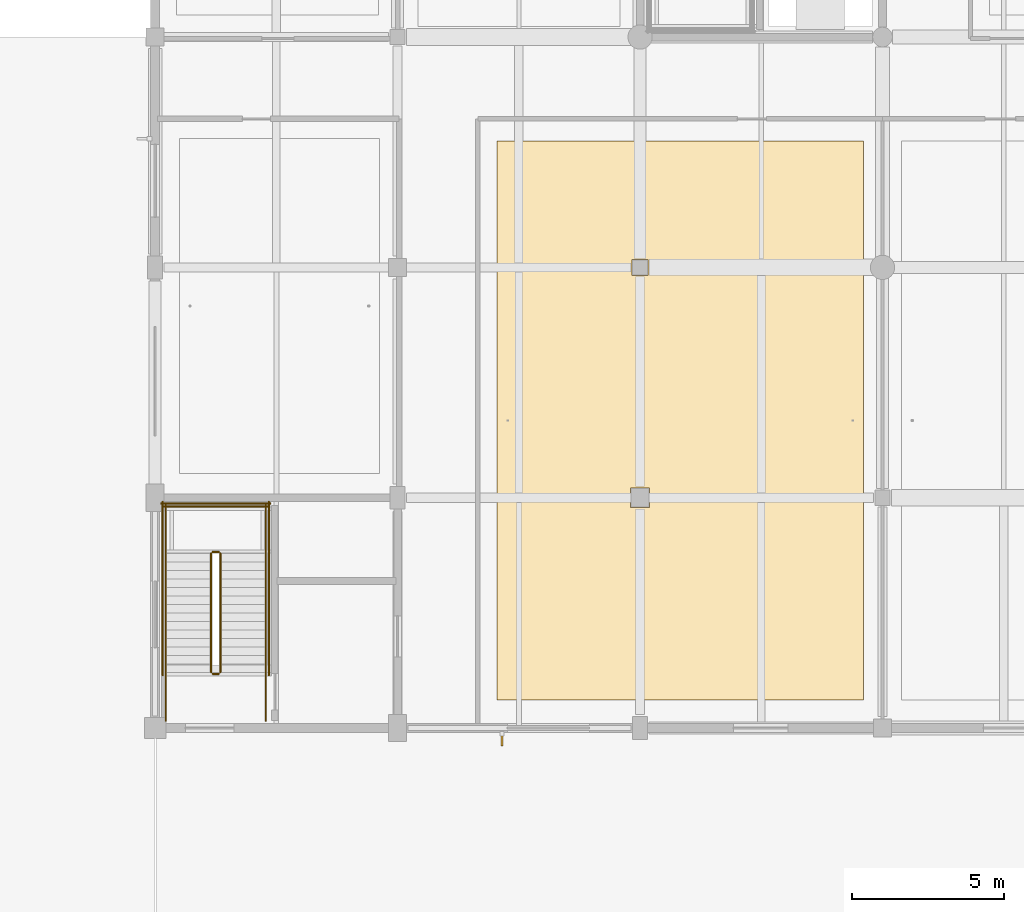
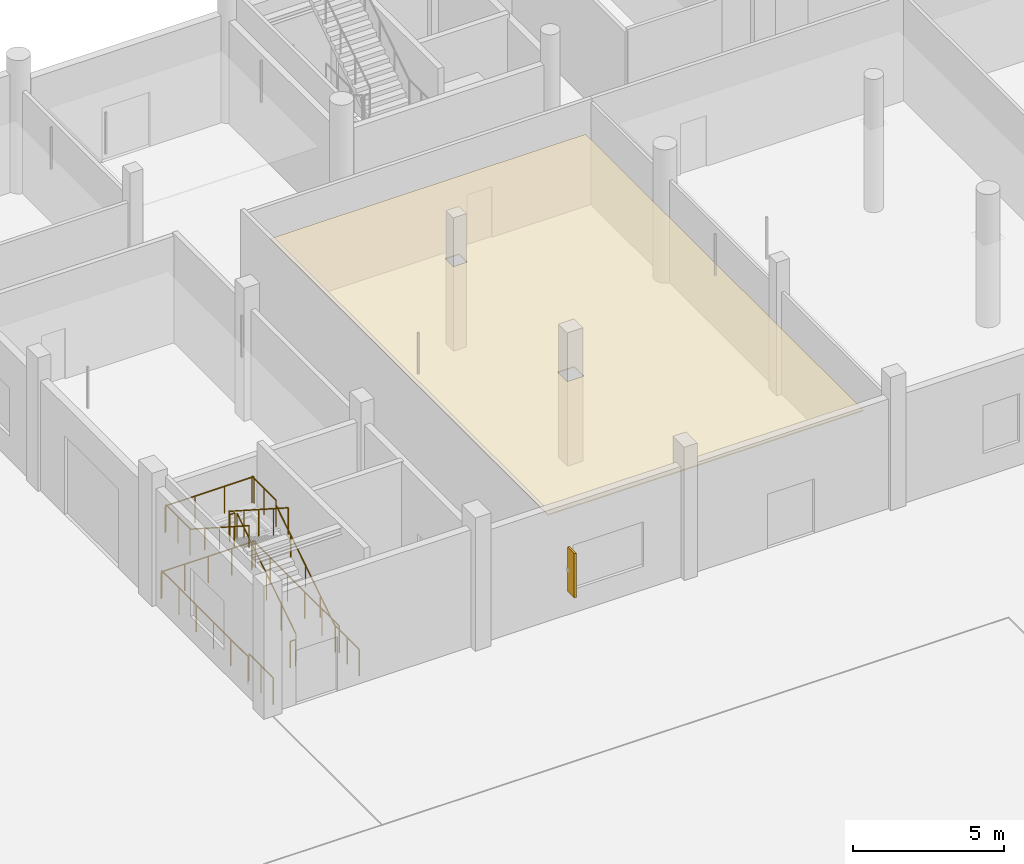
# One storey, part 123 of 126: 14 railings, 1 covering, 1 shading device.
"""IFC4 building model written with IfcOpenShell, lengths in metres."""

from ifc_helpers import new_model, si_unit, direction, frame, origin, origin_2d, place, context, subcontext, project, spatial, polyline, rectangle, circle, outline, extrude, material, layer, layer_set, type_object, element, save


model = new_model("IFC4")

# Units and contexts
model_context = context("Model", 3, precision=1e-05, world=origin(), true_north=direction((0.0, 1.0)))
body_context = subcontext(model_context, "Body", "Model", "MODEL_VIEW")
ifc_project = project(units=[si_unit("LENGTHUNIT", "METRE"), si_unit("AREAUNIT", "SQUARE_METRE"), si_unit("VOLUMEUNIT", "CUBIC_METRE"), si_unit("PLANEANGLEUNIT", "RADIAN"), si_unit("MASSUNIT", "GRAM", prefix="KILO")], contexts=[model_context])

# Site, building, storey
site_placement = place(None, origin())
site = spatial("IfcSite", under=ifc_project, at=site_placement, CompositionType="ELEMENT")
building_placement = place(site_placement, origin())
building = spatial("IfcBuilding", under=site, at=building_placement, Name="Khelvaren Railside Concert Hall", CompositionType="ELEMENT")
storey_placement = place(building_placement, origin())
storey = spatial("IfcBuildingStorey", under=building, at=storey_placement, Name="L00", CompositionType="ELEMENT", Elevation=0.0)

# Covering
ifc_material_1 = material(Name="Mineral-wool acoustic baffle ceiling", Category="gypsum")
ifc_layer = layer(ifc_material_1, 0.0400390625)
ifc_layer_set = layer_set([ifc_layer], Name="Mineral-wool acoustic baffle ceiling")
covering_type = type_object("IfcCoveringType", Name="CLG20", PredefinedType="CEILING", material=ifc_layer_set)
covering_placement = place(storey_placement, frame((0.0, 0.0, 3.409912109375)))
element("IfcCovering", 1, at=covering_placement, inside=storey, type_object=covering_type, Name="Suspended Acoustic Ceiling Fire Command Centre", PredefinedType="CEILING", context=body_context, shape_type="SweptSolid", body=[
    extrude(outline(polyline([(139.280029296875, 84.530029296875), (151.3701171875, 84.530029296875), (151.3701171875, 102.969970703125), (139.280029296875, 102.969970703125), (139.280029296875, 84.530029296875)]), holes=[polyline([(143.68505859375, 90.885009765625), (144.31494140625, 90.885009765625), (144.31494140625, 91.514892578125), (143.68505859375, 91.514892578125), (143.68505859375, 90.885009765625)]), polyline([(143.735107421875, 98.534912109375), (144.264892578125, 98.534912109375), (144.264892578125, 99.06494140625), (143.735107421875, 99.06494140625), (143.735107421875, 98.534912109375)])]), origin(), (0.0, 0.0, 1.0), 0.0400390625),
])

# Railings
ifc_material_2 = material(Name="Painted architectural steel", Category="steel")
railing_type_1 = type_object("IfcRailingType", Name="GRD86", PredefinedType="GUARDRAIL", material=ifc_material_2)
railing_1_placement = place(storey_placement, frame((130.14990234375, 85.43994140625, 0.179931640625)))
element("IfcRailing", 2, at=railing_1_placement, inside=storey, type_object=railing_type_1, Name="L00 ST-12 stair guard 1", PredefinedType="GUARDRAIL", context=body_context, shape_type="SweptSolid", body=[
    extrude(circle(Radius=0.02392578125, at=origin_2d()), frame((0.0, 0.0, 1.076171875), z_axis=(0.0, 0.841186985886, 0.540744352514), x_axis=(-1.0, 0.0, 0.0)), (0.0, 0.0, 1.0), 4.660400390625),
    extrude(circle(Radius=0.02099609375, at=origin_2d()), origin(), (0.0, 0.0, 1.0), 1.052001953125),
    extrude(circle(Radius=0.02099609375, at=origin_2d()), frame((0.0, 0.97998046875, 0.6298828125)), (0.0, 0.0, 1.0), 1.052001953125),
    extrude(circle(Radius=0.02099609375, at=origin_2d()), frame((0.0, 1.9599609375, 1.260009765625)), (0.0, 0.0, 1.0), 1.052001953125),
    extrude(circle(Radius=0.02099609375, at=origin_2d()), frame((0.0, 2.940185546875, 1.89013671875)), (0.0, 0.0, 1.0), 1.052001953125),
    extrude(circle(Radius=0.02099609375, at=origin_2d()), frame((0.0, 3.920166015625, 2.52001953125)), (0.0, 0.0, 1.0), 1.052001953125),
])
railing_2_placement = place(storey_placement, frame((130.10009765625, 89.409912109375, 2.699951171875)))
element("IfcRailing", 3, at=railing_2_placement, inside=storey, type_object=railing_type_1, Name="L00 ST-12 stair guard 2", PredefinedType="GUARDRAIL", context=body_context, shape_type="SweptSolid", body=[
    extrude(circle(Radius=0.02392578125, at=origin_2d()), frame((0.0, 0.0, 1.076171875), z_axis=(-1.0, 0.0, 0.0), x_axis=(0.0, -1.0, 0.0)), (0.0, 0.0, 1.0), 0.2001953125),
    extrude(circle(Radius=0.02099609375, at=origin_2d()), origin(), (0.0, 0.0, 1.0), 1.052001953125),
    extrude(circle(Radius=0.02099609375, at=origin_2d()), frame((-0.2001953125, 0.0, 0.0)), (0.0, 0.0, 1.0), 1.052001953125),
])
for number, where, name in (
    (4, (131.64990234375, 89.360107421875, 2.699951171875), "L00 ST-12 stair guard 3"),
    (5, (128.35009765625, 89.360107421875, 2.699951171875), "L00 ST-12 stair guard 4"),
):
    element("IfcRailing", number, at=place(storey_placement, frame(where)), inside=storey, type_object=railing_type_1, Name=name, PredefinedType="GUARDRAIL", context=body_context, shape_type="SweptSolid", body=[
        extrude(circle(Radius=0.02392578125, at=origin_2d()), frame((0.0, 0.0, 1.076171875), z_axis=(0.0, 1.0, 0.0), x_axis=(-1.0, 0.0, 0.0)), (0.0, 0.0, 1.0), 1.599853515625),
        extrude(circle(Radius=0.02099609375, at=origin_2d()), origin(), (0.0, 0.0, 1.0), 1.052001953125),
        extrude(circle(Radius=0.02099609375, at=origin_2d()), frame((0.0, 0.7998046875, 0.0)), (0.0, 0.0, 1.0), 1.052001953125),
        extrude(circle(Radius=0.02099609375, at=origin_2d()), frame((0.0, 1.599853515625, 0.0)), (0.0, 0.0, 1.0), 1.052001953125),
    ])
railing_3_placement = place(storey_placement, frame((131.699951171875, 90.909912109375, 2.699951171875)))
element("IfcRailing", 6, at=railing_3_placement, inside=storey, type_object=railing_type_1, Name="L00 ST-12 stair guard 5", PredefinedType="GUARDRAIL", context=body_context, shape_type="SweptSolid", body=[
    extrude(circle(Radius=0.02392578125, at=origin_2d()), frame((0.0, 0.0, 1.076171875), z_axis=(-1.0, 0.0, 0.0), x_axis=(0.0, -1.0, 0.0)), (0.0, 0.0, 1.0), 3.39990234375),
    extrude(circle(Radius=0.02099609375, at=origin_2d()), origin(), (0.0, 0.0, 1.0), 1.052001953125),
    extrude(circle(Radius=0.02099609375, at=origin_2d()), frame((-1.13330078125, 0.0, 0.0)), (0.0, 0.0, 1.0), 1.052001953125),
    extrude(circle(Radius=0.02099609375, at=origin_2d()), frame((-2.2666015625, 0.0, 0.0)), (0.0, 0.0, 1.0), 1.052001953125),
    extrude(circle(Radius=0.02099609375, at=origin_2d()), frame((-3.39990234375, 0.0, 0.0)), (0.0, 0.0, 1.0), 1.052001953125),
])
railing_4_placement = place(storey_placement, frame((129.85009765625, 89.360107421875, 2.8798828125)))
element("IfcRailing", 7, at=railing_4_placement, inside=storey, type_object=railing_type_1, Name="L00 ST-12 stair guard 6", PredefinedType="GUARDRAIL", context=body_context, shape_type="SweptSolid", body=[
    extrude(circle(Radius=0.02392578125, at=origin_2d()), frame((0.0, 0.0, 1.076171875), z_axis=(0.0, -0.841186985886, 0.540744352514), x_axis=(1.0, 0.0, 0.0)), (0.0, 0.0, 1.0), 4.660400390625),
    extrude(circle(Radius=0.02099609375, at=origin_2d()), origin(), (0.0, 0.0, 1.0), 1.052001953125),
    extrude(circle(Radius=0.02099609375, at=origin_2d()), frame((0.0, -0.97998046875, 0.6298828125)), (0.0, 0.0, 1.0), 1.052001953125),
    extrude(circle(Radius=0.02099609375, at=origin_2d()), frame((0.0, -1.9599609375, 1.260009765625)), (0.0, 0.0, 1.0), 1.052001953125),
    extrude(circle(Radius=0.02099609375, at=origin_2d()), frame((0.0, -2.940185546875, 1.89013671875)), (0.0, 0.0, 1.0), 1.052001953125),
    extrude(circle(Radius=0.02099609375, at=origin_2d()), frame((0.0, -3.920166015625, 2.52001953125)), (0.0, 0.0, 1.0), 1.052001953125),
])
railing_5_placement = place(storey_placement, frame((130.10009765625, 85.389892578125, 0.0)))
element("IfcRailing", 8, at=railing_5_placement, inside=storey, type_object=railing_type_1, Name="L00 ST-12 stair guard 7", PredefinedType="GUARDRAIL", context=body_context, shape_type="SweptSolid", body=[
    extrude(circle(Radius=0.02392578125, at=origin_2d()), frame((0.0, 0.0, 1.076171875), z_axis=(-1.0, 0.0, 0.0), x_axis=(0.0, -1.0, 0.0)), (0.0, 0.0, 1.0), 0.2001953125),
    extrude(circle(Radius=0.02099609375, at=origin_2d()), origin(), (0.0, 0.0, 1.0), 1.052001953125),
    extrude(circle(Radius=0.02099609375, at=origin_2d()), frame((-0.2001953125, 0.0, 0.0)), (0.0, 0.0, 1.0), 1.052001953125),
])
for number, where, name in (
    (9, (131.64990234375, 83.840087890625, 0.0), "L00 ST-12 stair guard 8"),
    (10, (128.35009765625, 83.840087890625, 0.0), "L00 ST-12 stair guard 9"),
):
    element("IfcRailing", number, at=place(storey_placement, frame(where)), inside=storey, type_object=railing_type_1, Name=name, PredefinedType="GUARDRAIL", context=body_context, shape_type="SweptSolid", body=[
        extrude(circle(Radius=0.02392578125, at=origin_2d()), frame((0.0, 0.0, 1.076171875), z_axis=(0.0, 1.0, 0.0), x_axis=(-1.0, 0.0, 0.0)), (0.0, 0.0, 1.0), 1.599853515625),
        extrude(circle(Radius=0.02099609375, at=origin_2d()), origin(), (0.0, 0.0, 1.0), 1.052001953125),
        extrude(circle(Radius=0.02099609375, at=origin_2d()), frame((0.0, 0.7998046875, 0.0)), (0.0, 0.0, 1.0), 1.052001953125),
        extrude(circle(Radius=0.02099609375, at=origin_2d()), frame((0.0, 1.599853515625, 0.0)), (0.0, 0.0, 1.0), 1.052001953125),
    ])
for number, where, name in (
    (11, (131.75, 85.340087890625, 0.0), "L00 ST-12 stair guard 10"),
    (12, (128.25, 85.340087890625, 0.0), "L00 ST-12 stair guard 11"),
):
    element("IfcRailing", number, at=place(storey_placement, frame(where)), inside=storey, type_object=railing_type_1, Name=name, PredefinedType="GUARDRAIL", context=body_context, shape_type="SweptSolid", body=[
        extrude(circle(Radius=0.02392578125, at=origin_2d()), frame((0.0, 0.0, 1.076171875), z_axis=(0.0, 1.0, 0.0), x_axis=(-1.0, 0.0, 0.0)), (0.0, 0.0, 1.0), 5.719970703125),
        extrude(circle(Radius=0.02099609375, at=origin_2d()), origin(), (0.0, 0.0, 1.0), 1.052001953125),
        extrude(circle(Radius=0.02099609375, at=origin_2d()), frame((0.0, 1.14404296875, 0.0)), (0.0, 0.0, 1.0), 1.052001953125),
        extrude(circle(Radius=0.02099609375, at=origin_2d()), frame((0.0, 2.2880859375, 0.0)), (0.0, 0.0, 1.0), 1.052001953125),
        extrude(circle(Radius=0.02099609375, at=origin_2d()), frame((0.0, 3.431884765625, 0.0)), (0.0, 0.0, 1.0), 1.052001953125),
        extrude(circle(Radius=0.02099609375, at=origin_2d()), frame((0.0, 4.575927734375, 0.0)), (0.0, 0.0, 1.0), 1.052001953125),
        extrude(circle(Radius=0.02099609375, at=origin_2d()), frame((0.0, 5.719970703125, 0.0)), (0.0, 0.0, 1.0), 1.052001953125),
    ])
railing_6_placement = place(storey_placement, frame((131.800048828125, 91.010009765625, 0.0)))
element("IfcRailing", 13, at=railing_6_placement, inside=storey, type_object=railing_type_1, Name="L00 ST-12 stair guard 12", PredefinedType="GUARDRAIL", context=body_context, shape_type="SweptSolid", body=[
    extrude(circle(Radius=0.02392578125, at=origin_2d()), frame((0.0, 0.0, 1.076171875), z_axis=(-1.0, 0.0, 0.0), x_axis=(0.0, -1.0, 0.0)), (0.0, 0.0, 1.0), 3.60009765625),
    extrude(circle(Radius=0.02099609375, at=origin_2d()), origin(), (0.0, 0.0, 1.0), 1.052001953125),
    extrude(circle(Radius=0.02099609375, at=origin_2d()), frame((-0.89990234375, 0.0, 0.0)), (0.0, 0.0, 1.0), 1.052001953125),
    extrude(circle(Radius=0.02099609375, at=origin_2d()), frame((-1.800048828125, 0.0, 0.0)), (0.0, 0.0, 1.0), 1.052001953125),
    extrude(circle(Radius=0.02099609375, at=origin_2d()), frame((-2.7001953125, 0.0, 0.0)), (0.0, 0.0, 1.0), 1.052001953125),
    extrude(circle(Radius=0.02099609375, at=origin_2d()), frame((-3.60009765625, 0.0, 0.0)), (0.0, 0.0, 1.0), 1.052001953125),
])
ifc_material_3 = material(Name="Brushed stainless steel Grade 316", Category="steel")
railing_type_2 = type_object("IfcRailingType", Name="HRL59", PredefinedType="HANDRAIL", material=ifc_material_3)
railing_7_placement = place(storey_placement, frame((131.64990234375, 85.43994140625, 0.179931640625)))
element("IfcRailing", 14, at=railing_7_placement, inside=storey, type_object=railing_type_2, Name="L00 ST-12 stair handrail 1", PredefinedType="HANDRAIL", context=body_context, shape_type="SweptSolid", body=[
    extrude(circle(Radius=0.02392578125, at=origin_2d()), frame((0.0, 0.0, 0.8759765625), z_axis=(0.0, 0.841186985886, 0.540744352514), x_axis=(-1.0, 0.0, 0.0)), (0.0, 0.0, 1.0), 4.660400390625),
    extrude(circle(Radius=0.02099609375, at=origin_2d()), origin(), (0.0, 0.0, 1.0), 0.851806640625),
    extrude(circle(Radius=0.02099609375, at=origin_2d()), frame((0.0, 0.97998046875, 0.6298828125)), (0.0, 0.0, 1.0), 0.851806640625),
    extrude(circle(Radius=0.02099609375, at=origin_2d()), frame((0.0, 1.9599609375, 1.260009765625)), (0.0, 0.0, 1.0), 0.851806640625),
    extrude(circle(Radius=0.02099609375, at=origin_2d()), frame((0.0, 2.940185546875, 1.89013671875)), (0.0, 0.0, 1.0), 0.851806640625),
    extrude(circle(Radius=0.02099609375, at=origin_2d()), frame((0.0, 3.920166015625, 2.52001953125)), (0.0, 0.0, 1.0), 0.851806640625),
])
railing_8_placement = place(storey_placement, frame((128.35009765625, 89.360107421875, 2.8798828125)))
element("IfcRailing", 15, at=railing_8_placement, inside=storey, type_object=railing_type_2, Name="L00 ST-12 stair handrail 2", PredefinedType="HANDRAIL", context=body_context, shape_type="SweptSolid", body=[
    extrude(circle(Radius=0.02392578125, at=origin_2d()), frame((0.0, 0.0, 0.8759765625), z_axis=(0.0, -0.841186985886, 0.540744352514), x_axis=(1.0, 0.0, 0.0)), (0.0, 0.0, 1.0), 4.660400390625),
    extrude(circle(Radius=0.02099609375, at=origin_2d()), origin(), (0.0, 0.0, 1.0), 0.851806640625),
    extrude(circle(Radius=0.02099609375, at=origin_2d()), frame((0.0, -0.97998046875, 0.6298828125)), (0.0, 0.0, 1.0), 0.851806640625),
    extrude(circle(Radius=0.02099609375, at=origin_2d()), frame((0.0, -1.9599609375, 1.260009765625)), (0.0, 0.0, 1.0), 0.851806640625),
    extrude(circle(Radius=0.02099609375, at=origin_2d()), frame((0.0, -2.940185546875, 1.89013671875)), (0.0, 0.0, 1.0), 0.851806640625),
    extrude(circle(Radius=0.02099609375, at=origin_2d()), frame((0.0, -3.920166015625, 2.52001953125)), (0.0, 0.0, 1.0), 0.851806640625),
])

# Shading device
ifc_material_4 = material(Name="Anodised bronze aluminium 6063-T6", Category="aluminium")
shading_device_type = type_object("IfcShadingDeviceType", Name="SFN18", PredefinedType="USERDEFINED", material=ifc_material_4)
shading_device_placement = place(storey_placement, frame((139.445068359375, 83.22998046875, 0.9501953125), z_axis=(0.0, 0.0, 1.0), x_axis=(-1.0, 0.0, 0.0)))
element("IfcShadingDevice", 16, at=shading_device_placement, inside=storey, type_object=shading_device_type, Name="Bronze Solar Shading Fin EW-V5-L00-S-136", ObjectType="SOLAR FIN", PredefinedType="USERDEFINED", context=body_context, shape_type="SweptSolid", body=[
    extrude(rectangle(XDim=0.080078125, YDim=0.449951171875, at=origin_2d()), origin(), (0.0, 0.0, 1.0), 1.800048828125),
])

save(model, "model.ifc")
